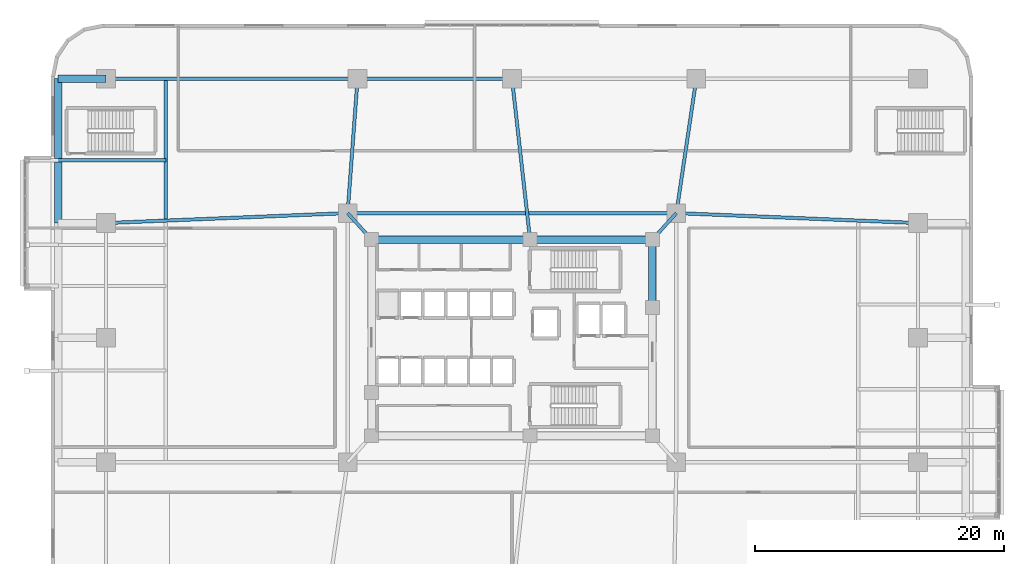
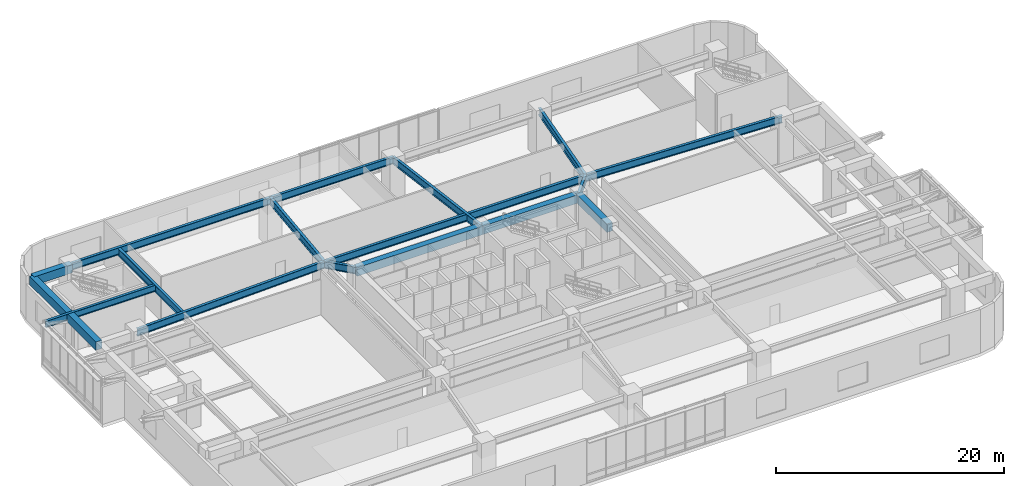
# One storey, part 6 of 23: 17 beams.
"""IFC4 building model written with IfcOpenShell, lengths in metres."""

from ifc_helpers import new_model, si_unit, direction, frame, origin, origin_2d, place, context, subcontext, project, spatial, rectangle, i_section, extrude, material, material_profile, profile_set, type_object, element, save


model = new_model("IFC4")

# Units and contexts
model_context = context("Model", 3, precision=1e-05, world=origin(), true_north=direction((0.0, 1.0)))
body_context = subcontext(model_context, "Body", "Model", "MODEL_VIEW")
ifc_project = project(units=[si_unit("LENGTHUNIT", "METRE"), si_unit("AREAUNIT", "SQUARE_METRE"), si_unit("VOLUMEUNIT", "CUBIC_METRE"), si_unit("PLANEANGLEUNIT", "RADIAN"), si_unit("MASSUNIT", "GRAM", prefix="KILO")], contexts=[model_context])

# Site, building, storey
site_placement = place(None, origin())
site = spatial("IfcSite", under=ifc_project, at=site_placement, CompositionType="ELEMENT")
building_placement = place(site_placement, origin())
building = spatial("IfcBuilding", under=site, at=building_placement, Name="Zulverin Broadcast Headquarters", CompositionType="ELEMENT")
storey_placement = place(building_placement, frame((0.0, 0.0, 10.0)))
storey = spatial("IfcBuildingStorey", under=building, at=storey_placement, Name="L02", CompositionType="ELEMENT", Elevation=10.0)

# Beams
ifc_material_1 = material(Name="Concrete C60/75", Category="concrete")
ifc_material_profile_1 = material_profile(ifc_material_1, rectangle(XDim=0.60009765625, YDim=0.89990234375, at=origin_2d()), Name="Concrete C60/75", Category="concrete")
ifc_profile_set_1 = profile_set([ifc_material_profile_1], Name="Concrete C60/75")
beam_type_1 = type_object("IfcBeamType", Name="BM-CB-600x900", PredefinedType="LINTEL", material=ifc_profile_set_1)
beam_1_placement = place(storey_placement, frame((48.27490234375, 27.6201171875, 4.22998046875), z_axis=(0.0, 1.0, 0.0), x_axis=(-1.0, 0.0, 0.0)))
element("IfcBeam", 1, at=beam_1_placement, inside=storey, type_object=beam_type_1, Name="L02 Core Coupling Girder K04-K05", PredefinedType="LINTEL", context=body_context, shape_type="SweptSolid", body=[
    extrude(rectangle(XDim=0.60009765625, YDim=0.89990234375, at=origin_2d()), origin(), (0.0, 0.0, 1.0), 5.454833984375),
])
beam_2_placement = place(storey_placement, frame((48.27490234375, 33.074951171875, 4.22998046875), z_axis=(-1.0, 0.0, 0.0), x_axis=(0.0, -1.0, 0.0)))
element("IfcBeam", 2, at=beam_2_placement, inside=storey, type_object=beam_type_1, Name="L02 Core Coupling Girder K05-K06", PredefinedType="LINTEL", context=body_context, shape_type="SweptSolid", body=[
    extrude(rectangle(XDim=0.60009765625, YDim=0.89990234375, at=origin_2d()), origin(), (0.0, 0.0, 1.0), 9.824951171875),
])
beam_3_placement = place(storey_placement, frame((38.449951171875, 33.074951171875, 4.22998046875), z_axis=(-1.0, 0.0, 0.0), x_axis=(0.0, -1.0, 0.0)))
element("IfcBeam", 3, at=beam_3_placement, inside=storey, type_object=beam_type_1, Name="L02 Core Coupling Girder K06-K07", PredefinedType="LINTEL", context=body_context, shape_type="SweptSolid", body=[
    extrude(rectangle(XDim=0.60009765625, YDim=0.89990234375, at=origin_2d()), origin(), (0.0, 0.0, 1.0), 12.724853515625),
])
ifc_material_2 = material(Name="Concrete C40/50", Category="concrete")
ifc_material_profile_2 = material_profile(ifc_material_2, rectangle(XDim=0.60009765625, YDim=0.89990234375, at=origin_2d()), Name="Concrete C40/50", Category="concrete")
ifc_profile_set_2 = profile_set([ifc_material_profile_2], Name="Concrete C40/50")
beam_type_2 = type_object("IfcBeamType", Name="BM-RC-600x900", PredefinedType="BEAM", material=ifc_profile_set_2)
beam_4_placement = place(storey_placement, frame((4.39990234375, 46.0, 4.22998046875), z_axis=(-1.0, 0.0, 0.0), x_axis=(0.0, -1.0, 0.0)))
element("IfcBeam", 4, at=beam_4_placement, inside=storey, type_object=beam_type_2, Name="L02 West Perimeter Bracket Girder WBR-4", PredefinedType="BEAM", context=body_context, shape_type="SweptSolid", body=[
    extrude(rectangle(XDim=0.60009765625, YDim=0.89990234375, at=origin_2d()), origin(), (0.0, 0.0, 1.0), 3.849853515625),
])
beam_5_placement = place(storey_placement, frame((0.550048828125, 34.39990234375, 4.22998046875), z_axis=(0.0, 1.0, 0.0), x_axis=(-1.0, 0.0, 0.0)))
element("IfcBeam", 5, at=beam_5_placement, inside=storey, type_object=beam_type_2, Name="L02 West Edge Spandrel Girder WEG-3", PredefinedType="BEAM", context=body_context, shape_type="SweptSolid", body=[
    extrude(rectangle(XDim=0.60009765625, YDim=0.89990234375, at=origin_2d()), origin(), (0.0, 0.0, 1.0), 11.60009765625),
])
ifc_material_3 = material(Name="Structural steel S355JR", Category="steel")
ifc_material_profile_3 = material_profile(ifc_material_3, i_section(OverallWidth=0.255859375, OverallDepth=0.69287109375, WebThickness=0.014404296875, FlangeThickness=0.023681640625, at=origin_2d()), Name="Structural steel S355JR", Category="steel")
ifc_profile_set_3 = profile_set([ifc_material_profile_3], Name="Structural steel S355JR")
beam_type_3 = type_object("IfcBeamType", Name="BM-UB-686", PredefinedType="BEAM", material=ifc_profile_set_3)
beam_6_placement = place(storey_placement, frame((9.199951171875, 39.449951171875, 4.33349609375), z_axis=(-1.0, 0.0, 0.0), x_axis=(0.0, -1.0, 0.0)))
element("IfcBeam", 6, at=beam_6_placement, inside=storey, type_object=beam_type_3, Name="L02 Studio Box Cantilever Girder SBOX_POD_LOWER_W1-2", PredefinedType="BEAM", context=body_context, shape_type="SweptSolid", body=[
    extrude(i_section(OverallWidth=0.255859375, OverallDepth=0.69287109375, WebThickness=0.014404296875, FlangeThickness=0.023681640625, at=origin_2d()), origin(), (0.0, 0.0, 1.0), 11.14990234375),
])
ifc_material_profile_4 = material_profile(ifc_material_3, i_section(OverallWidth=0.26806640625, OverallDepth=0.769775390625, WebThickness=0.015625, FlangeThickness=0.025390625, at=origin_2d()), Name="Structural steel S355JR", Category="steel")
ifc_profile_set_4 = profile_set([ifc_material_profile_4], Name="Structural steel S355JR")
beam_type_4 = type_object("IfcBeamType", Name="BM-UB-762", PredefinedType="BEAM", material=ifc_profile_set_4)
beam_7_placement = place(storey_placement, frame((37.0, 46.0, 4.295166015625), z_axis=(-1.0, 0.0, 0.0), x_axis=(0.0, -1.0, 0.0)))
element("IfcBeam", 7, at=beam_7_placement, inside=storey, type_object=beam_type_4, Name="L02 Podium Primary Girder P08-P07", PredefinedType="BEAM", context=body_context, shape_type="SweptSolid", body=[
    extrude(i_section(OverallWidth=0.26806640625, OverallDepth=0.769775390625, WebThickness=0.015625, FlangeThickness=0.025390625, at=origin_2d()), origin(), (0.0, 0.0, 1.0), 12.39990234375),
])
beam_8_placement = place(storey_placement, frame((24.60009765625, 46.0, 4.295166015625), z_axis=(-1.0, 0.0, 0.0), x_axis=(0.0, -1.0, 0.0)))
element("IfcBeam", 8, at=beam_8_placement, inside=storey, type_object=beam_type_4, Name="L02 Podium Primary Girder P07-P06", PredefinedType="BEAM", context=body_context, shape_type="SweptSolid", body=[
    extrude(i_section(OverallWidth=0.26806640625, OverallDepth=0.769775390625, WebThickness=0.015625, FlangeThickness=0.025390625, at=origin_2d()), origin(), (0.0, 0.0, 1.0), 20.2001953125),
])
for number, where, z_axis, x_axis, name in (
    (9, (50.199951171875, 35.199951171875, 4.295166015625), (-0.671379160881, -0.741114041383, 0.0), (0.741114041383, -0.671379160881, 0.0), "L02 Podium Primary Girder M03-K05"),
    (10, (23.800048828125, 35.199951171875, 4.295166015625), (0.671379160881, -0.741114041383, 0.0), (0.741114041383, 0.671379160881, 0.0), "L02 Podium Primary Girder M04-K07"),
):
    element("IfcBeam", number, at=place(storey_placement, frame(where, z_axis=z_axis, x_axis=x_axis)), inside=storey, type_object=beam_type_4, Name=name, PredefinedType="BEAM", context=body_context, shape_type="SweptSolid", body=[
        extrude(i_section(OverallWidth=0.26806640625, OverallDepth=0.769775390625, WebThickness=0.015625, FlangeThickness=0.025390625, at=origin_2d()), origin(), (0.0, 0.0, 1.0), 2.8671875),
    ])
beam_9_placement = place(storey_placement, frame((50.199951171875, 35.199951171875, 4.295166015625), z_axis=(-1.0, 0.0, 0.0), x_axis=(0.0, -1.0, 0.0)))
element("IfcBeam", 11, at=beam_9_placement, inside=storey, type_object=beam_type_4, Name="L02 Podium Primary Girder M03-M04", PredefinedType="BEAM", context=body_context, shape_type="SweptSolid", body=[
    extrude(i_section(OverallWidth=0.26806640625, OverallDepth=0.769775390625, WebThickness=0.015625, FlangeThickness=0.025390625, at=origin_2d()), origin(), (0.0, 0.0, 1.0), 26.39990234375),
])
beam_10_placement = place(storey_placement, frame((37.0, 46.0, 4.295166015625), z_axis=(0.111482194079, -0.993766431514, 0.0), x_axis=(0.993766431514, 0.111482194079, 0.0)))
element("IfcBeam", 12, at=beam_10_placement, inside=storey, type_object=beam_type_4, Name="L02 Podium Primary Girder P08-K06", PredefinedType="BEAM", context=body_context, shape_type="SweptSolid", body=[
    extrude(i_section(OverallWidth=0.26806640625, OverallDepth=0.769775390625, WebThickness=0.015625, FlangeThickness=0.025390625, at=origin_2d()), origin(), (0.0, 0.0, 1.0), 13.006103515625),
])
beam_11_placement = place(storey_placement, frame((24.60009765625, 46.0, 4.295166015625), z_axis=(-0.0738758375, -0.997267446894, 0.0), x_axis=(0.997267446894, -0.0738758375, 0.0)))
element("IfcBeam", 13, at=beam_11_placement, inside=storey, type_object=beam_type_4, Name="L02 Podium Primary Girder P07-M04", PredefinedType="BEAM", context=body_context, shape_type="SweptSolid", body=[
    extrude(i_section(OverallWidth=0.26806640625, OverallDepth=0.769775390625, WebThickness=0.015625, FlangeThickness=0.025390625, at=origin_2d()), origin(), (0.0, 0.0, 1.0), 10.82958984375),
])
beam_12_placement = place(storey_placement, frame((51.800048828125, 46.0, 4.295166015625), z_axis=(-0.146556765224, -0.989202261707, 0.0), x_axis=(0.989202261707, -0.146556765224, 0.0)))
element("IfcBeam", 14, at=beam_12_placement, inside=storey, type_object=beam_type_4, Name="L02 Podium Primary Girder P09-M03", PredefinedType="BEAM", context=body_context, shape_type="SweptSolid", body=[
    extrude(i_section(OverallWidth=0.26806640625, OverallDepth=0.769775390625, WebThickness=0.015625, FlangeThickness=0.025390625, at=origin_2d()), origin(), (0.0, 0.0, 1.0), 10.91796875),
])
beam_13_placement = place(storey_placement, frame((4.39990234375, 34.39990234375, 4.295166015625), z_axis=(0.999150742371, 0.041204296122, 0.0), x_axis=(-0.041204296122, 0.999150742371, 0.0)))
element("IfcBeam", 15, at=beam_13_placement, inside=storey, type_object=beam_type_4, Name="L02 West Studio North Tie Girder", PredefinedType="BEAM", context=body_context, shape_type="SweptSolid", body=[
    extrude(i_section(OverallWidth=0.26806640625, OverallDepth=0.769775390625, WebThickness=0.015625, FlangeThickness=0.025390625, at=origin_2d()), origin(), (0.0, 0.0, 1.0), 19.416748046875),
])
beam_14_placement = place(storey_placement, frame((9.199951171875, 34.73193359375, 4.295166015625), z_axis=(0.0, 1.0, 0.0), x_axis=(-1.0, 0.0, 0.0)))
element("IfcBeam", 16, at=beam_14_placement, inside=storey, type_object=beam_type_4, Name="L02 West Back-Span Anchor Beam WSBA-2", PredefinedType="BEAM", context=body_context, shape_type="SweptSolid", body=[
    extrude(i_section(OverallWidth=0.26806640625, OverallDepth=0.769775390625, WebThickness=0.015625, FlangeThickness=0.025390625, at=origin_2d()), origin(), (0.0, 0.0, 1.0), 11.134033203125),
])
beam_15_placement = place(storey_placement, frame((50.199951171875, 35.199951171875, 4.295166015625), z_axis=(0.999150742371, -0.041204296122, 0.0), x_axis=(0.041204296122, 0.999150742371, 0.0)))
element("IfcBeam", 17, at=beam_15_placement, inside=storey, type_object=beam_type_4, Name="L02 East Studio North Tie Girder", PredefinedType="BEAM", context=body_context, shape_type="SweptSolid", body=[
    extrude(i_section(OverallWidth=0.26806640625, OverallDepth=0.769775390625, WebThickness=0.015625, FlangeThickness=0.025390625, at=origin_2d()), origin(), (0.0, 0.0, 1.0), 19.416748046875),
])

save(model, "model.ifc")
